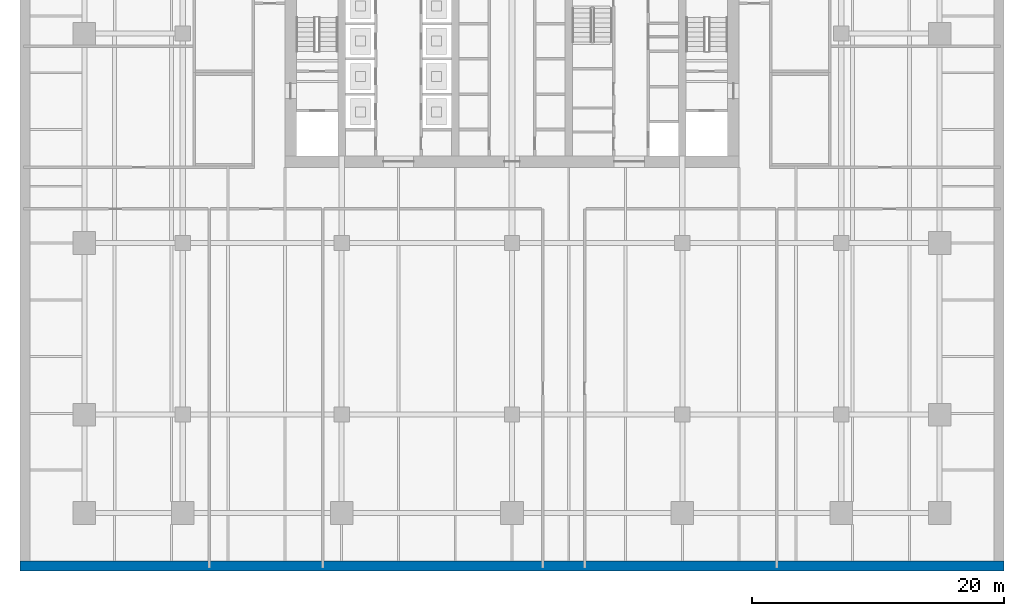
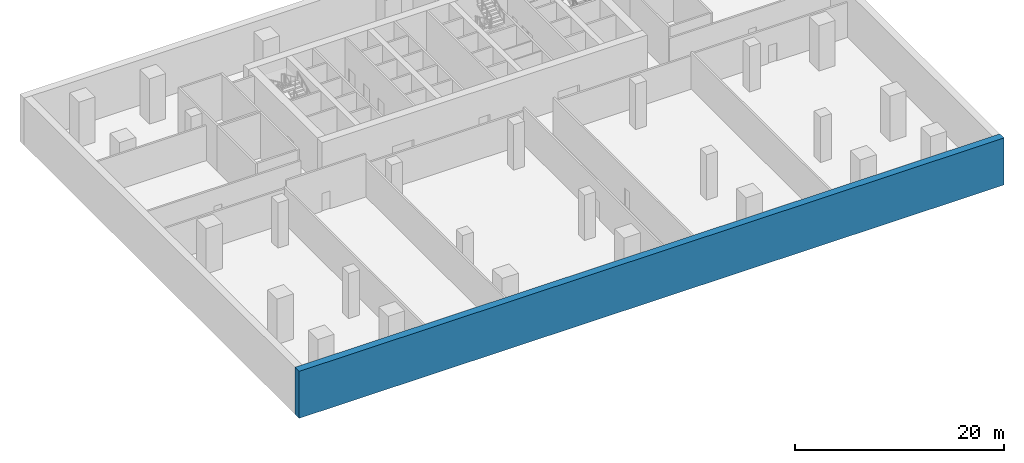
# One storey, part 5 of 11: 1 wall.
"""IFC4 building model written with IfcOpenShell, lengths in metres."""

from ifc_helpers import new_model, si_unit, direction, frame, frame_2d, origin, place, context, subcontext, project, spatial, rectangle, extrude, material, layer, layer_set, type_object, element, save


model = new_model("IFC4")

# Units and contexts
model_context = context("Model", 3, precision=1e-05, world=origin(), true_north=direction((0.0, 1.0)))
body_context = subcontext(model_context, "Body", "Model", "MODEL_VIEW")
ifc_project = project(units=[si_unit("LENGTHUNIT", "METRE"), si_unit("AREAUNIT", "SQUARE_METRE"), si_unit("VOLUMEUNIT", "CUBIC_METRE"), si_unit("PLANEANGLEUNIT", "RADIAN"), si_unit("MASSUNIT", "GRAM", prefix="KILO")], contexts=[model_context])

# Site, building, storey
site_placement = place(None, origin())
site = spatial("IfcSite", under=ifc_project, at=site_placement, CompositionType="ELEMENT")
building_placement = place(site_placement, origin())
building = spatial("IfcBuilding", under=site, at=building_placement, Name="Rattan Terrace Tower", CompositionType="ELEMENT")
storey_placement = place(building_placement, frame((0.0, 0.0, -5.5)))
storey = spatial("IfcBuildingStorey", under=building, at=storey_placement, Name="B1", CompositionType="ELEMENT", Elevation=-5.5)

# Wall
ifc_material = material(Name="Concrete C40/50", Category="concrete")
ifc_layer = layer(ifc_material, 0.800048828125)
ifc_layer_set = layer_set([ifc_layer], Name="Frame basement wall 800")
wall_type = type_object("IfcWallType", Name="Frame basement wall 800", PredefinedType="SOLIDWALL", material=ifc_layer_set)
wall_placement = place(storey_placement, frame((-39.0, -39.10009765625, -0.199951171875), z_axis=(0.0, 0.0, 1.0), x_axis=(1.0, 0.0, 0.0)))
element("IfcWall", 1, at=wall_placement, inside=storey, type_object=wall_type, Name="Basement wall", PredefinedType="SOLIDWALL", context=body_context, shape_type="SweptSolid", body=[
    extrude(rectangle(XDim=78.0, YDim=0.800048828125, at=frame_2d((39.0, 0.0))), origin(), (0.0, 0.0, 1.0), 5.5),
])

save(model, "model.ifc")
